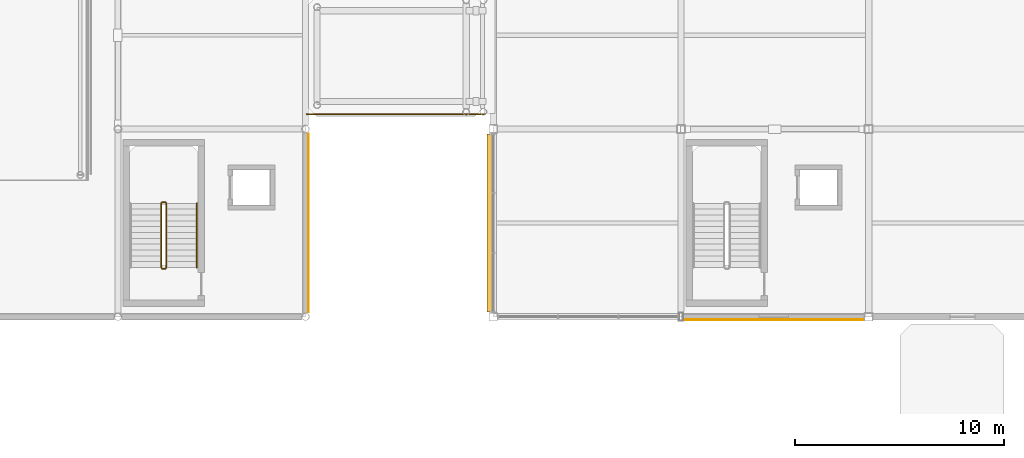
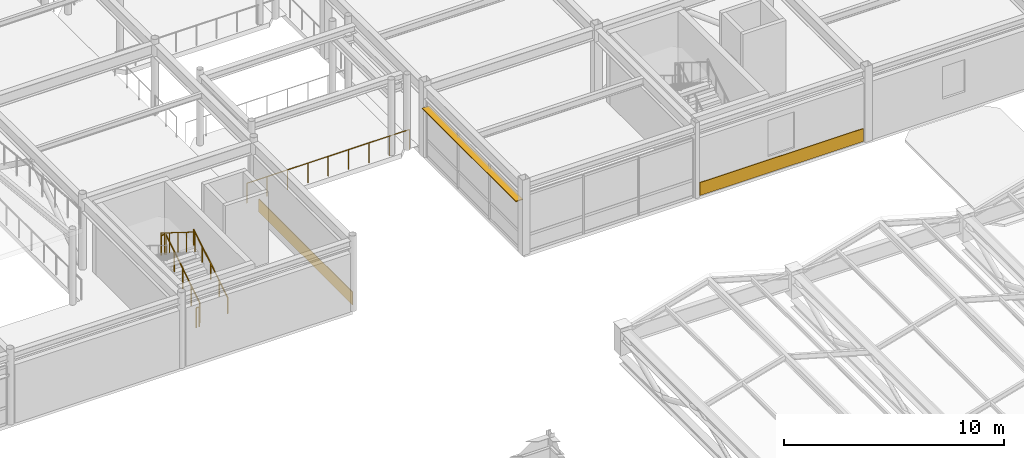
# One storey, part 96 of 108: 6 railings, 2 coverings, 1 shading device.
"""IFC4 building model written with IfcOpenShell, lengths in metres."""

import ifcopenshell
import ifcopenshell.guid

model = None  # the IFC model being written
_history = None  # IfcOwnerHistory: only IFC2X3 demands one
_inside = {}  # id of a spatial element -> (the spatial element, [elements in it])
_under = {}  # id of a project, library or spatial element -> (it, [spatial elements below it])
_declared = {}  # id of a project -> (the project, [libraries it declares])
_typed = {}  # id of a type object -> (the type object, [elements of that type])
_made_of = {}  # id of a material, layer set ... -> (it, [elements and type objects made of it])


def new_model(schema):
    """Start an empty IFC model of exactly this schema.

    Asked for "IFC4X3", IfcOpenShell would pick the latest addendum, in which some entities
    have other attributes; the version numbers below select the first issue.
    IFC2X3 requires an IfcOwnerHistory on every rooted entity: one is made here for all.
    """
    global model, _history
    if schema == "IFC4X3":
        model = ifcopenshell.file(schema_version=(4, 3, 0, 0))
    else:
        model = ifcopenshell.file(schema=schema)
    _inside.clear()
    _under.clear()
    _declared.clear()
    _typed.clear()
    _made_of.clear()
    _history = None
    if model.schema == "IFC2X3":
        org = make("IfcOrganization", Name="unknown")
        user = make(
            "IfcPersonAndOrganization",
            ThePerson=make("IfcPerson", FamilyName="unknown"),
            TheOrganization=org,
        )
        app = make(
            "IfcApplication",
            ApplicationDeveloper=org,
            Version="unknown",
            ApplicationFullName="unknown",
            ApplicationIdentifier="unknown",
        )
        _history = make(
            "IfcOwnerHistory",
            OwningUser=user,
            OwningApplication=app,
            ChangeAction="ADDED",
            CreationDate=0,
        )
    return model


def make(cls, **values):
    """One entity of the class cls with the attributes given. An attribute that is None is left unset."""
    return model.create_entity(
        cls, **{name: value for name, value in values.items() if value is not None}
    )


def rooted(cls, **values):
    """An entity with a GlobalId (a new one), such as an element, a storey or a relation."""
    return make(cls, GlobalId=ifcopenshell.guid.new(), OwnerHistory=_history, **values)


def si_unit(unit_type, name, prefix=None):
    """IfcSIUnit, for example si_unit("LENGTHUNIT", "METRE", prefix="MILLI")."""
    return make("IfcSIUnit", UnitType=unit_type, Prefix=prefix, Name=name)


def assignment(units):
    """IfcUnitAssignment: the units of a project."""
    return None if units is None else make("IfcUnitAssignment", Units=units)


def point(xyz):
    """IfcCartesianPoint."""
    return None if xyz is None else make("IfcCartesianPoint", Coordinates=xyz)


def direction(xyz):
    """IfcDirection."""
    return None if xyz is None else make("IfcDirection", DirectionRatios=xyz)


def frame(location, z_axis=None, x_axis=None):
    """IfcAxis2Placement3D, a coordinate frame: its origin and axes. An axis left out is left unset."""
    return make(
        "IfcAxis2Placement3D",
        Location=point(location),
        Axis=direction(z_axis),
        RefDirection=direction(x_axis),
    )


def frame_2d(location, x_axis=None):
    """IfcAxis2Placement2D, a coordinate frame in the plane: its origin and x axis."""
    return make(
        "IfcAxis2Placement2D", Location=point(location), RefDirection=direction(x_axis)
    )


def origin():
    """The frame at (0, 0, 0) with its axes left unset."""
    return frame((0.0, 0.0, 0.0))


def origin_2d():
    """The frame at (0, 0) in the plane with its x axis left unset."""
    return frame_2d((0.0, 0.0))


def place(relative_to, where):
    """IfcLocalPlacement: puts the frame where relative to a parent placement (None: the world)."""
    return make(
        "IfcLocalPlacement", PlacementRelTo=relative_to, RelativePlacement=where
    )


def context(
    kind, dimensions, precision=None, world=None, true_north=None, identifier=None
):
    """IfcGeometricRepresentationContext, for example the 3D "Model" context."""
    return make(
        "IfcGeometricRepresentationContext",
        ContextIdentifier=identifier,
        ContextType=kind,
        CoordinateSpaceDimension=dimensions,
        Precision=precision,
        WorldCoordinateSystem=world,
        TrueNorth=true_north,
    )


def subcontext(parent, identifier, kind, view, scale=None):
    """IfcGeometricRepresentationSubContext, for example "Body" below "Model"."""
    return make(
        "IfcGeometricRepresentationSubContext",
        ContextIdentifier=identifier,
        ContextType=kind,
        ParentContext=parent,
        TargetScale=scale,
        TargetView=view,
    )


def project(units=None, contexts=None):
    """IfcProject with its units and contexts."""
    return rooted(
        "IfcProject",
        Name="project",
        RepresentationContexts=contexts,
        UnitsInContext=assignment(units),
    )


def spatial(cls, under=None, at=None, **own):
    """A site, building, storey or space (cls), placed at a placement, below another one or the project."""
    s = rooted(cls, ObjectPlacement=at, **own)
    if under is not None:
        _under.setdefault(under.id(), (under, []))[1].append(s)
    return s


def profile(cls, at=None, kind="AREA", **sizes):
    """A parametric profile (cls). Its sizes go by their IFC names, for example OverallWidth=200.0."""
    return make(cls, ProfileType=kind, Position=at, **sizes)


def rectangle(**sizes):
    """IfcRectangleProfileDef."""
    return profile("IfcRectangleProfileDef", **sizes)


def circle(**sizes):
    """IfcCircleProfileDef."""
    return profile("IfcCircleProfileDef", **sizes)


def extrude(swept, where, along, depth):
    """IfcExtrudedAreaSolid: the profile swept, set in the frame where, extruded along a direction by depth."""
    return make(
        "IfcExtrudedAreaSolid",
        SweptArea=swept,
        Position=where,
        ExtrudedDirection=direction(along),
        Depth=depth,
    )


def shape(context_of_items, identifier, shape_type, items):
    """IfcShapeRepresentation: the items that make up one representation, for example the "Body"."""
    return make(
        "IfcShapeRepresentation",
        ContextOfItems=context_of_items,
        RepresentationIdentifier=identifier,
        RepresentationType=shape_type,
        Items=items,
    )


def material(Name=None, Category=None):
    """IfcMaterial."""
    return make("IfcMaterial", Name=Name, Category=Category)


def layer(
    of_material, thickness, ventilated=None, Name=None, Category=None, Priority=None
):
    """IfcMaterialLayer: one layer of a wall or slab, of a material (None: an air gap)."""
    return make(
        "IfcMaterialLayer",
        Material=of_material,
        LayerThickness=thickness,
        IsVentilated=ventilated,
        Name=Name,
        Category=Category,
        Priority=Priority,
    )


def layer_set(layers, Name=None):
    """IfcMaterialLayerSet."""
    return make("IfcMaterialLayerSet", MaterialLayers=layers, LayerSetName=Name)


def material_profile(
    of_material, cross_section, Name=None, Category=None, Priority=None
):
    """IfcMaterialProfile: a cross section and its material."""
    return make(
        "IfcMaterialProfile",
        Name=Name,
        Material=of_material,
        Profile=cross_section,
        Priority=Priority,
        Category=Category,
    )


def profile_set(profiles, Name=None, composite=None):
    """IfcMaterialProfileSet."""
    return make(
        "IfcMaterialProfileSet",
        Name=Name,
        MaterialProfiles=profiles,
        CompositeProfile=composite,
    )


def made_of(thing, what):
    """Note that an element or type object is made of a material, layer set ...; save() writes the relation."""
    if what is not None:
        _made_of.setdefault(what.id(), (what, []))[1].append(thing)
    return thing


def type_object(cls, material=None, **own):
    """A type object (cls), such as IfcWallType, which elements share."""
    return made_of(rooted(cls, **own), material)


def element(
    cls,
    number,
    at=None,
    inside=None,
    cuts=None,
    type_object=None,
    material=None,
    context=None,
    identifier="Body",
    shape_type=None,
    held_by="IfcProductDefinitionShape",
    body=None,
    shapes=None,
    **own,
):
    """One element of the class cls, such as IfcWall. Its Tag is "e" and its number.

    at: its placement. inside: the storey or other place that contains it. cuts: it is an
    opening in that element (IfcRelVoidsElement). A single representation is given by context,
    identifier, shape_type and body (its items); several are given by shapes. held_by: the class
    of the entity that holds the representations. save() writes the other relations.
    """
    e = rooted(cls, Tag="e%d" % number, ObjectPlacement=at, **own)
    if body is not None:
        shapes = [shape(context, identifier, shape_type, body)]
    if shapes is not None:
        e.Representation = make(held_by, Representations=shapes)
    if inside is not None:
        _inside.setdefault(inside.id(), (inside, []))[1].append(e)
    if cuts is not None:
        rooted(
            "IfcRelVoidsElement", RelatingBuildingElement=cuts, RelatedOpeningElement=e
        )
    if type_object is not None:
        _typed.setdefault(type_object.id(), (type_object, []))[1].append(e)
    return made_of(e, material)


def aggregate(whole, parts):
    """IfcRelAggregates: a whole, such as a stair, and the parts it consists of."""
    return rooted("IfcRelAggregates", RelatingObject=whole, RelatedObjects=parts)


def save(model, path):
    """Write the relations noted so far, then the file.

    IfcRelAggregates (storeys below a building ...), IfcRelContainedInSpatialStructure (elements
    in a storey), IfcRelDefinesByType, IfcRelAssociatesMaterial and IfcRelDeclares: one each for
    every whole, place, type object, material and project.
    """
    for whole, parts in _under.values():
        aggregate(whole, parts)
    for where, things in _inside.values():
        rooted(
            "IfcRelContainedInSpatialStructure",
            RelatedElements=things,
            RelatingStructure=where,
        )
    for kind, things in _typed.values():
        rooted("IfcRelDefinesByType", RelatedObjects=things, RelatingType=kind)
    for what, things in _made_of.values():
        rooted("IfcRelAssociatesMaterial", RelatedObjects=things, RelatingMaterial=what)
    for by, libraries in _declared.values():
        rooted("IfcRelDeclares", RelatingContext=by, RelatedDefinitions=libraries)
    model.write(path)


model = new_model("IFC4")

# Units and contexts
model_context = context("Model", 3, precision=1e-05, world=origin(), true_north=direction((0.0, 1.0)))
body_context = subcontext(model_context, "Body", "Model", "MODEL_VIEW")
ifc_project = project(units=[si_unit("LENGTHUNIT", "METRE"), si_unit("AREAUNIT", "SQUARE_METRE"), si_unit("VOLUMEUNIT", "CUBIC_METRE"), si_unit("PLANEANGLEUNIT", "RADIAN"), si_unit("MASSUNIT", "GRAM", prefix="KILO")], contexts=[model_context])

# Site, building, storey
site_placement = place(None, origin())
site = spatial("IfcSite", under=ifc_project, at=site_placement, CompositionType="ELEMENT")
building_placement = place(site_placement, origin())
building = spatial("IfcBuilding", under=site, at=building_placement, Name="Suzunagisa Mobility Hub", CompositionType="ELEMENT")
storey_placement = place(building_placement, frame((0.0, 0.0, 9.300048828125)))
storey = spatial("IfcBuildingStorey", under=building, at=storey_placement, Name="L02", CompositionType="ELEMENT", Elevation=9.300048828125)

# Railings
ifc_material_1 = material(Name="Stainless Steel SUS304", Category="metal")
railing_type_1 = type_object("IfcRailingType", Name="Interior Well Guardrail IGR-01", PredefinedType="GUARDRAIL", material=ifc_material_1)
railing_1_placement = place(storey_placement, frame((29.330078125, 82.360107421875, 0.175048828125)))
element("IfcRailing", 1, at=railing_1_placement, inside=storey, type_object=railing_type_1, Name="L02 ST-05 stair guard 1", PredefinedType="GUARDRAIL", context=body_context, shape_type="SweptSolid", body=[
    extrude(circle(Radius=0.02392578125, at=origin_2d()), frame((0.0, 0.0, 1.09619140625), z_axis=(0.0, 0.848009633417, 0.529980812513), x_axis=(-1.0, 0.0, 0.0)), (0.0, 0.0, 1.0), 3.6318359375),
    extrude(circle(Radius=0.02099609375, at=origin_2d()), origin(), (0.0, 0.0, 1.0), 1.072021484375),
    extrude(circle(Radius=0.02099609375, at=origin_2d()), frame((0.0, 0.77001953125, 0.481201171875)), (0.0, 0.0, 1.0), 1.072021484375),
    extrude(circle(Radius=0.02099609375, at=origin_2d()), frame((0.0, 1.5400390625, 0.96240234375)), (0.0, 0.0, 1.0), 1.072021484375),
    extrude(circle(Radius=0.02099609375, at=origin_2d()), frame((0.0, 2.309814453125, 1.443603515625)), (0.0, 0.0, 1.0), 1.072021484375),
    extrude(circle(Radius=0.02099609375, at=origin_2d()), frame((0.0, 3.079833984375, 1.9248046875)), (0.0, 0.0, 1.0), 1.072021484375),
])
railing_2_placement = place(storey_placement, frame((29.280029296875, 85.489990234375, 2.099853515625)))
element("IfcRailing", 2, at=railing_2_placement, inside=storey, type_object=railing_type_1, Name="L02 ST-05 stair guard 2", PredefinedType="GUARDRAIL", context=body_context, shape_type="SweptSolid", body=[
    extrude(circle(Radius=0.02392578125, at=origin_2d()), frame((0.0, 0.0, 1.09619140625), z_axis=(-1.0, 0.0, 0.0), x_axis=(0.0, -1.0, 0.0)), (0.0, 0.0, 1.0), 0.159912109375),
    extrude(circle(Radius=0.02099609375, at=origin_2d()), origin(), (0.0, 0.0, 1.0), 1.072021484375),
    extrude(circle(Radius=0.02099609375, at=origin_2d()), frame((-0.159912109375, 0.0, 0.0)), (0.0, 0.0, 1.0), 1.072021484375),
])
railing_3_placement = place(storey_placement, frame((29.070068359375, 85.43994140625, 2.27490234375)))
element("IfcRailing", 3, at=railing_3_placement, inside=storey, type_object=railing_type_1, Name="L02 ST-05 stair guard 3", PredefinedType="GUARDRAIL", context=body_context, shape_type="SweptSolid", body=[
    extrude(circle(Radius=0.02392578125, at=origin_2d()), frame((0.0, 0.0, 1.09619140625), z_axis=(0.0, -0.847979421464, 0.530029150871), x_axis=(1.0, 0.0, 0.0)), (0.0, 0.0, 1.0), 3.632080078125),
    extrude(circle(Radius=0.02099609375, at=origin_2d()), origin(), (0.0, 0.0, 1.0), 1.072021484375),
    extrude(circle(Radius=0.02099609375, at=origin_2d()), frame((0.0, -0.77001953125, 0.481201171875)), (0.0, 0.0, 1.0), 1.072021484375),
    extrude(circle(Radius=0.02099609375, at=origin_2d()), frame((0.0, -1.5400390625, 0.96240234375)), (0.0, 0.0, 1.0), 1.072021484375),
    extrude(circle(Radius=0.02099609375, at=origin_2d()), frame((0.0, -2.309814453125, 1.44384765625)), (0.0, 0.0, 1.0), 1.072021484375),
    extrude(circle(Radius=0.02099609375, at=origin_2d()), frame((0.0, -3.079833984375, 1.925048828125)), (0.0, 0.0, 1.0), 1.072021484375),
])
railing_4_placement = place(storey_placement, frame((29.280029296875, 82.31005859375, 0.0)))
element("IfcRailing", 4, at=railing_4_placement, inside=storey, type_object=railing_type_1, Name="L02 ST-05 stair guard 4", PredefinedType="GUARDRAIL", context=body_context, shape_type="SweptSolid", body=[
    extrude(circle(Radius=0.02392578125, at=origin_2d()), frame((0.0, 0.0, 1.09619140625), z_axis=(-1.0, 0.0, 0.0), x_axis=(0.0, -1.0, 0.0)), (0.0, 0.0, 1.0), 0.159912109375),
    extrude(circle(Radius=0.02099609375, at=origin_2d()), origin(), (0.0, 0.0, 1.0), 1.072021484375),
    extrude(circle(Radius=0.02099609375, at=origin_2d()), frame((-0.159912109375, 0.0, 0.0)), (0.0, 0.0, 1.0), 1.072021484375),
])

# Coverings
ifc_material_2 = material(Name="Vitreous Porcelain Enamel Aluminum Cladding", Category="aluminium")
ifc_layer = layer(ifc_material_2, 0.034912109375)
ifc_layer_set = layer_set([ifc_layer], Name="Vitreous Porcelain Enamel Aluminum Cladding")
covering_type = type_object("IfcCoveringType", Name="Porcelain Enamel Spandrel Cladding Band CLD-01", PredefinedType="CLADDING", material=ifc_layer_set)
covering_1_placement = place(storey_placement, frame((36.137451171875, 84.5, 0.06005859375), z_axis=(0.0, 0.0, 1.0), x_axis=(0.0, 1.0, 0.0)))
element("IfcCovering", 5, at=covering_1_placement, inside=storey, type_object=covering_type, Name="L02 Porcelain Spandrel Cladding Band CLD-8", PredefinedType="CLADDING", context=body_context, shape_type="SweptSolid", body=[
    extrude(rectangle(XDim=8.54443359375, YDim=0.034912109375, at=origin_2d()), origin(), (0.0, 0.0, 1.0), 0.719970703125),
])
covering_2_placement = place(storey_placement, frame((58.449951171875, 79.862548828125, 0.06005859375), z_axis=(0.0, 0.0, 1.0), x_axis=(1.0, 0.0, 0.0)))
element("IfcCovering", 6, at=covering_2_placement, inside=storey, type_object=covering_type, Name="L02 Porcelain Spandrel Cladding Band CLD-19", PredefinedType="CLADDING", context=body_context, shape_type="SweptSolid", body=[
    extrude(rectangle(XDim=8.60009765625, YDim=0.034912109375, at=origin_2d()), origin(), (0.0, 0.0, 1.0), 0.719970703125),
])

# Shading device
ifc_material_3 = material(Name="Fluoropolymer-Coated Extruded Aluminum 6063-T5", Category="aluminium")
ifc_material_profile = material_profile(ifc_material_3, rectangle(XDim=0.360107421875, YDim=0.050048828125, at=origin_2d()), Name="FIN-360x50")
ifc_profile_set = profile_set([ifc_material_profile], Name="Fluoropolymer-Coated Extruded Aluminum 6063-T5")
shading_device_type = type_object("IfcShadingDeviceType", Name="Streamline Aluminum Sunshade SF-04 FIN-360x50", PredefinedType="USERDEFINED", material=ifc_profile_set)
shading_device_placement = place(storey_placement, frame((44.889892578125, 88.77001953125, 2.800048828125), z_axis=(0.0, -1.0, 0.0), x_axis=(1.0, 0.0, 0.0)))
element("IfcShadingDevice", 7, at=shading_device_placement, inside=storey, type_object=shading_device_type, Name="L02 Streamline Speed-Rail Sunshade Fin SF-24", ObjectType="SUNSHADE FIN", PredefinedType="USERDEFINED", context=body_context, shape_type="SweptSolid", body=[
    extrude(rectangle(XDim=0.360107421875, YDim=0.050048828125, at=origin_2d()), origin(), (0.0, 0.0, 1.0), 8.5400390625),
])

# Railings
ifc_material_4 = material(Name="Stainless Steel SUS316", Category="metal")
railing_type_2 = type_object("IfcRailingType", Name="Terrace Stainless Steel Guardrail GR-01", PredefinedType="GUARDRAIL", material=ifc_material_4)
railing_5_placement = place(storey_placement, frame((36.050048828125, 89.719970703125, 0.0)))
element("IfcRailing", 8, at=railing_5_placement, inside=storey, type_object=railing_type_2, Name="L02 Bridge Edge Guardrail VRL-L02-S-79", PredefinedType="GUARDRAIL", context=body_context, shape_type="SweptSolid", body=[
    extrude(circle(Radius=0.02392578125, at=origin_2d()), frame((0.0, 0.0, 1.09619140625), z_axis=(1.0, 0.0, 0.0), x_axis=(0.0, 1.0, 0.0)), (0.0, 0.0, 1.0), 8.550048828125),
    extrude(circle(Radius=0.02099609375, at=origin_2d()), origin(), (0.0, 0.0, 1.0), 1.072021484375),
    extrude(circle(Radius=0.02099609375, at=origin_2d()), frame((1.06884765625, 0.0, 0.0)), (0.0, 0.0, 1.0), 1.072021484375),
    extrude(circle(Radius=0.02099609375, at=origin_2d()), frame((2.137451171875, 0.0, 0.0)), (0.0, 0.0, 1.0), 1.072021484375),
    extrude(circle(Radius=0.02099609375, at=origin_2d()), frame((3.206298828125, 0.0, 0.0)), (0.0, 0.0, 1.0), 1.072021484375),
    extrude(circle(Radius=0.02099609375, at=origin_2d()), frame((4.27490234375, 0.0, 0.0)), (0.0, 0.0, 1.0), 1.072021484375),
    extrude(circle(Radius=0.02099609375, at=origin_2d()), frame((5.34375, 0.0, 0.0)), (0.0, 0.0, 1.0), 1.072021484375),
    extrude(circle(Radius=0.02099609375, at=origin_2d()), frame((6.41259765625, 0.0, 0.0)), (0.0, 0.0, 1.0), 1.072021484375),
    extrude(circle(Radius=0.02099609375, at=origin_2d()), frame((7.481201171875, 0.0, 0.0)), (0.0, 0.0, 1.0), 1.072021484375),
    extrude(circle(Radius=0.02099609375, at=origin_2d()), frame((8.550048828125, 0.0, 0.0)), (0.0, 0.0, 1.0), 1.072021484375),
])
railing_type_3 = type_object("IfcRailingType", Name="Tubular Stainless Stair Handrail IHR-01", PredefinedType="HANDRAIL", material=ifc_material_1)
railing_6_placement = place(storey_placement, frame((30.7900390625, 82.360107421875, 0.175048828125)))
element("IfcRailing", 9, at=railing_6_placement, inside=storey, type_object=railing_type_3, Name="L02 ST-05 stair handrail 1", PredefinedType="HANDRAIL", context=body_context, shape_type="SweptSolid", body=[
    extrude(circle(Radius=0.02392578125, at=origin_2d()), frame((0.0, 0.0, 0.8759765625), z_axis=(0.0, 0.848009633417, 0.529980812513), x_axis=(-1.0, 0.0, 0.0)), (0.0, 0.0, 1.0), 3.6318359375),
    extrude(circle(Radius=0.02099609375, at=origin_2d()), origin(), (0.0, 0.0, 1.0), 0.851806640625),
    extrude(circle(Radius=0.02099609375, at=origin_2d()), frame((0.0, 0.77001953125, 0.481201171875)), (0.0, 0.0, 1.0), 0.851806640625),
    extrude(circle(Radius=0.02099609375, at=origin_2d()), frame((0.0, 1.5400390625, 0.96240234375)), (0.0, 0.0, 1.0), 0.851806640625),
    extrude(circle(Radius=0.02099609375, at=origin_2d()), frame((0.0, 2.309814453125, 1.443603515625)), (0.0, 0.0, 1.0), 0.851806640625),
    extrude(circle(Radius=0.02099609375, at=origin_2d()), frame((0.0, 3.079833984375, 1.9248046875)), (0.0, 0.0, 1.0), 0.851806640625),
])

save(model, "model.ifc")
